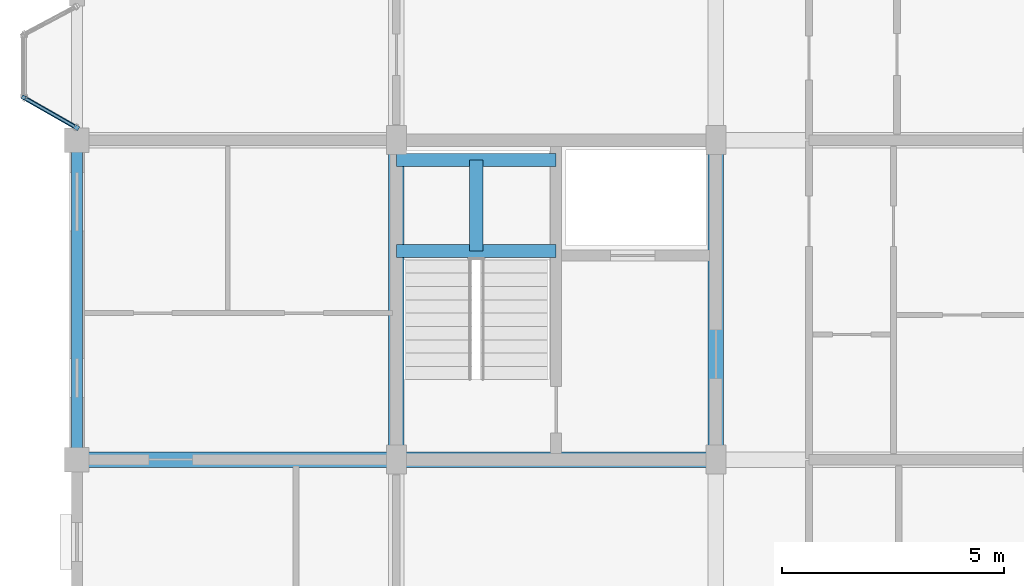
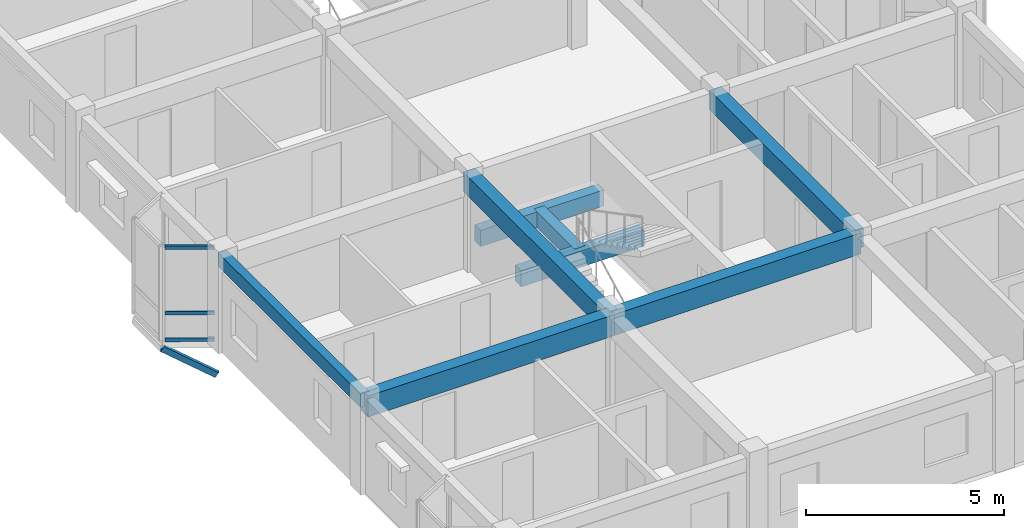
# One storey, part 16 of 77: 8 beams, 4 members, 1 element without a shape of its own.
"""IFC4 building model written with IfcOpenShell, lengths in metres."""

from ifc_helpers import new_model, si_unit, direction, frame, origin, origin_2d, place, context, subcontext, project, spatial, rectangle, hollow_rectangle, extrude, material, layer, layer_set, material_profile, profile_set, type_object, element, aggregate, save


model = new_model("IFC4")

# Units and contexts
model_context = context("Model", 3, precision=1e-05, world=origin(), true_north=direction((0.0, 1.0)))
body_context = subcontext(model_context, "Body", "Model", "MODEL_VIEW")
ifc_project = project(units=[si_unit("LENGTHUNIT", "METRE"), si_unit("AREAUNIT", "SQUARE_METRE"), si_unit("VOLUMEUNIT", "CUBIC_METRE"), si_unit("PLANEANGLEUNIT", "RADIAN"), si_unit("MASSUNIT", "GRAM", prefix="KILO"), si_unit("THERMODYNAMICTEMPERATUREUNIT", "KELVIN"), si_unit("POWERUNIT", "WATT")], contexts=[model_context])

# Site, building, storey
site_placement = place(None, origin())
site = spatial("IfcSite", under=ifc_project, at=site_placement, CompositionType="ELEMENT")
building_placement = place(site_placement, origin())
building = spatial("IfcBuilding", under=site, at=building_placement, Name="Tavuni Mirador Residences", CompositionType="ELEMENT")
storey_placement = place(building_placement, frame((0.0, 0.0, 17.10009765625)))
storey = spatial("IfcBuildingStorey", under=building, at=storey_placement, Name="L05", CompositionType="ELEMENT", Elevation=17.10009765625)

# Beams
ifc_material_1 = material(Name="Precast concrete C40/50", Category="concrete")
ifc_material_profile_1 = material_profile(ifc_material_1, rectangle(XDim=0.300048828125, YDim=0.5, at=origin_2d()), Name="PC 300x500", Category="concrete")
ifc_profile_set_1 = profile_set([ifc_material_profile_1], Name="Precast concrete C40/50")
beam_type_1 = type_object("IfcBeamType", Name="BT-B500", PredefinedType="BEAM", material=ifc_profile_set_1)
for number, where, z_axis, x_axis, name in (
    (1, (10.800048828125, 76.699951171875, 1.14501953125), (1.0, 0.0, 0.0), (0.0, 1.0, 0.0), "HLB1-C3-L05"),
    (2, (10.800048828125, 78.75, 1.14501953125), (1.0, 0.0, 0.0), (0.0, 1.0, 0.0), "HLB2-C3-L05"),
):
    element("IfcBeam", number, at=place(storey_placement, frame(where, z_axis=z_axis, x_axis=x_axis)), inside=storey, type_object=beam_type_1, Name=name, PredefinedType="BEAM", context=body_context, shape_type="SweptSolid", body=[
        extrude(rectangle(XDim=0.300048828125, YDim=0.5, at=origin_2d()), origin(), (0.0, 0.0, 1.0), 3.599853515625),
    ])
beam_1_placement = place(storey_placement, frame((12.60009765625, 76.699951171875, 1.14501953125), z_axis=(0.0, 1.0, 0.0), x_axis=(-1.0, 0.0, 0.0)))
element("IfcBeam", 3, at=beam_1_placement, inside=storey, type_object=beam_type_1, Name="HLB3-C3-L05", PredefinedType="BEAM", context=body_context, shape_type="SweptSolid", body=[
    extrude(rectangle(XDim=0.300048828125, YDim=0.5, at=origin_2d()), origin(), (0.0, 0.0, 1.0), 2.050048828125),
])
ifc_material_profile_2 = material_profile(ifc_material_1, rectangle(XDim=0.35009765625, YDim=0.60009765625, at=origin_2d()), Name="PC 350x600", Category="concrete")
ifc_profile_set_2 = profile_set([ifc_material_profile_2], Name="Precast concrete C40/50")
beam_type_2 = type_object("IfcBeamType", Name="BT-B600", PredefinedType="BEAM", material=ifc_profile_set_2)
for number, where, z_axis, x_axis, name in (
    (4, (10.800048828125, 72.0, 2.60986328125), (0.0, 1.0, 0.0), (-1.0, 0.0, 0.0), "BMY-BLK-B-L05-01-01"),
    (5, (18.0, 72.0, 2.60986328125), (0.0, 1.0, 0.0), (-1.0, 0.0, 0.0), "BMY-BLK-B-L05-02-01"),
):
    element("IfcBeam", number, at=place(storey_placement, frame(where, z_axis=z_axis, x_axis=x_axis)), inside=storey, type_object=beam_type_2, Name=name, PredefinedType="BEAM", context=body_context, shape_type="SweptSolid", body=[
        extrude(rectangle(XDim=0.35009765625, YDim=0.60009765625, at=origin_2d()), origin(), (0.0, 0.0, 1.0), 7.199951171875),
    ])
ifc_material_profile_3 = material_profile(ifc_material_1, rectangle(XDim=0.35009765625, YDim=0.64990234375, at=origin_2d()), Name="PC 350x650", Category="concrete")
ifc_profile_set_3 = profile_set([ifc_material_profile_3], Name="Precast concrete C40/50")
beam_type_3 = type_object("IfcBeamType", Name="BT-B650", PredefinedType="BEAM", material=ifc_profile_set_3)
for number, where, z_axis, x_axis, name in (
    (6, (3.60009765625, 72.0, 2.5849609375), (1.0, 0.0, 0.0), (0.0, 1.0, 0.0), "BMX-BLK-B-L05-00-01"),
    (7, (10.800048828125, 72.0, 2.5849609375), (1.0, 0.0, 0.0), (0.0, 1.0, 0.0), "BMX-BLK-B-L05-01-01"),
):
    element("IfcBeam", number, at=place(storey_placement, frame(where, z_axis=z_axis, x_axis=x_axis)), inside=storey, type_object=beam_type_3, Name=name, PredefinedType="BEAM", context=body_context, shape_type="SweptSolid", body=[
        extrude(rectangle(XDim=0.35009765625, YDim=0.64990234375, at=origin_2d()), origin(), (0.0, 0.0, 1.0), 7.199951171875),
    ])
ifc_material_profile_4 = material_profile(ifc_material_1, rectangle(XDim=0.25, YDim=0.419921875, at=origin_2d()), Name="PC 250x420", Category="concrete")
ifc_profile_set_4 = profile_set([ifc_material_profile_4], Name="Precast concrete C40/50")
beam_type_4 = type_object("IfcBeamType", Name="BT-SP420", PredefinedType="SPANDREL", material=ifc_profile_set_4)
beam_2_placement = place(storey_placement, frame((3.60009765625, 72.0, 2.699951171875), z_axis=(0.0, 1.0, 0.0), x_axis=(-1.0, 0.0, 0.0)))
element("IfcBeam", 8, at=beam_2_placement, inside=storey, type_object=beam_type_4, Name="BMY-BLK-B-L05-00-01", PredefinedType="SPANDREL", context=body_context, shape_type="SweptSolid", body=[
    extrude(rectangle(XDim=0.25, YDim=0.419921875, at=origin_2d()), origin(), (0.0, 0.0, 1.0), 7.199951171875),
])

# Curtain wall, members
ifc_material_2 = material(Name="Anodised aluminium", Category="aluminium")
ifc_layer = layer(ifc_material_2, 0.1650390625, Name="Anodised aluminium", Category="aluminium")
ifc_layer_set = layer_set([ifc_layer], Name="Anodised aluminium")
curtain_wall_type = type_object("IfcCurtainWallType", Name="CWT-MIR-A", PredefinedType="NOTDEFINED", material=ifc_layer_set)
curtain_wall_placement = place(storey_placement, origin())
curtain_wall = element("IfcCurtainWall", 9, at=curtain_wall_placement, inside=storey, type_object=curtain_wall_type, Name="CW-MIR-B-W2-L05-M2", PredefinedType="NOTDEFINED")
ifc_material_profile_5 = material_profile(ifc_material_2, hollow_rectangle(XDim=0.06005859375, YDim=0.110107421875, WallThickness=0.00390625, at=origin_2d()), Name="ALU 60x110x4.0", Category="aluminium")
ifc_profile_set_5 = profile_set([ifc_material_profile_5], Name="Anodised aluminium")
member_type_1 = type_object("IfcMemberType", Name="CWT-110", PredefinedType="USERDEFINED", material=ifc_profile_set_5)
member_1_placement = place(storey_placement, frame((2.4521484375, 80.13037109375, 0.02978515625), z_axis=(0.868374088354, -0.495909712222, 0.0), x_axis=(0.495909712222, 0.868374088354, 0.0)))
member_1 = element("IfcMember", 10, at=member_1_placement, type_object=member_type_1, Name="CW-01 transom 1.1", ObjectType="TRANSOM", PredefinedType="USERDEFINED", context=body_context, shape_type="SweptSolid", body=[
    extrude(hollow_rectangle(XDim=0.06005859375, YDim=0.110107421875, WallThickness=0.00390625, at=origin_2d()), origin(), (0.0, 0.0, 1.0), 1.26171875),
])
member_2_placement = place(storey_placement, frame((2.4521484375, 80.13037109375, 0.849853515625), z_axis=(0.868374088354, -0.495909712222, 0.0), x_axis=(0.495909712222, 0.868374088354, 0.0)))
member_2 = element("IfcMember", 11, at=member_2_placement, type_object=member_type_1, Name="CW-01 transom 1.2", ObjectType="TRANSOM", PredefinedType="USERDEFINED", context=body_context, shape_type="SweptSolid", body=[
    extrude(hollow_rectangle(XDim=0.06005859375, YDim=0.110107421875, WallThickness=0.00390625, at=origin_2d()), origin(), (0.0, 0.0, 1.0), 1.26171875),
])
member_3_placement = place(storey_placement, frame((2.4521484375, 80.13037109375, 2.8798828125), z_axis=(0.868374088354, -0.495909712222, 0.0), x_axis=(0.495909712222, 0.868374088354, 0.0)))
member_3 = element("IfcMember", 12, at=member_3_placement, type_object=member_type_1, Name="CW-01 transom 1.3", ObjectType="TRANSOM", PredefinedType="USERDEFINED", context=body_context, shape_type="SweptSolid", body=[
    extrude(hollow_rectangle(XDim=0.06005859375, YDim=0.110107421875, WallThickness=0.00390625, at=origin_2d()), origin(), (0.0, 0.0, 1.0), 1.26171875),
])
aggregate(curtain_wall, [member_1, member_2, member_3])

# Member
ifc_material_3 = material(Name="Structural steel S355", Category="steel")
ifc_material_profile_6 = material_profile(ifc_material_3, hollow_rectangle(XDim=0.10009765625, YDim=0.179931640625, WallThickness=0.008056640625, at=origin_2d()), Name="RHS 180x100x8.0", Category="steel")
ifc_profile_set_6 = profile_set([ifc_material_profile_6], Name="Structural steel S355")
member_type_2 = type_object("IfcMemberType", Name="MT-BR-RHS180", PredefinedType="BRACE", material=ifc_profile_set_6)
member_4_placement = place(storey_placement, frame((3.60009765625, 79.47509765625, -1.050048828125), z_axis=(-0.749297922844, 0.427538786326, 0.505730371847), x_axis=(-0.495587053321, -0.868558272415, 0.0)))
element("IfcMember", 13, at=member_4_placement, inside=storey, type_object=member_type_2, Name="MBRK-MIR-B-W2-L05-1", PredefinedType="BRACE", context=body_context, shape_type="SweptSolid", body=[
    extrude(hollow_rectangle(XDim=0.10009765625, YDim=0.179931640625, WallThickness=0.008056640625, at=origin_2d()), origin(), (0.0, 0.0, 1.0), 1.601806640625),
])

save(model, "model.ifc")
